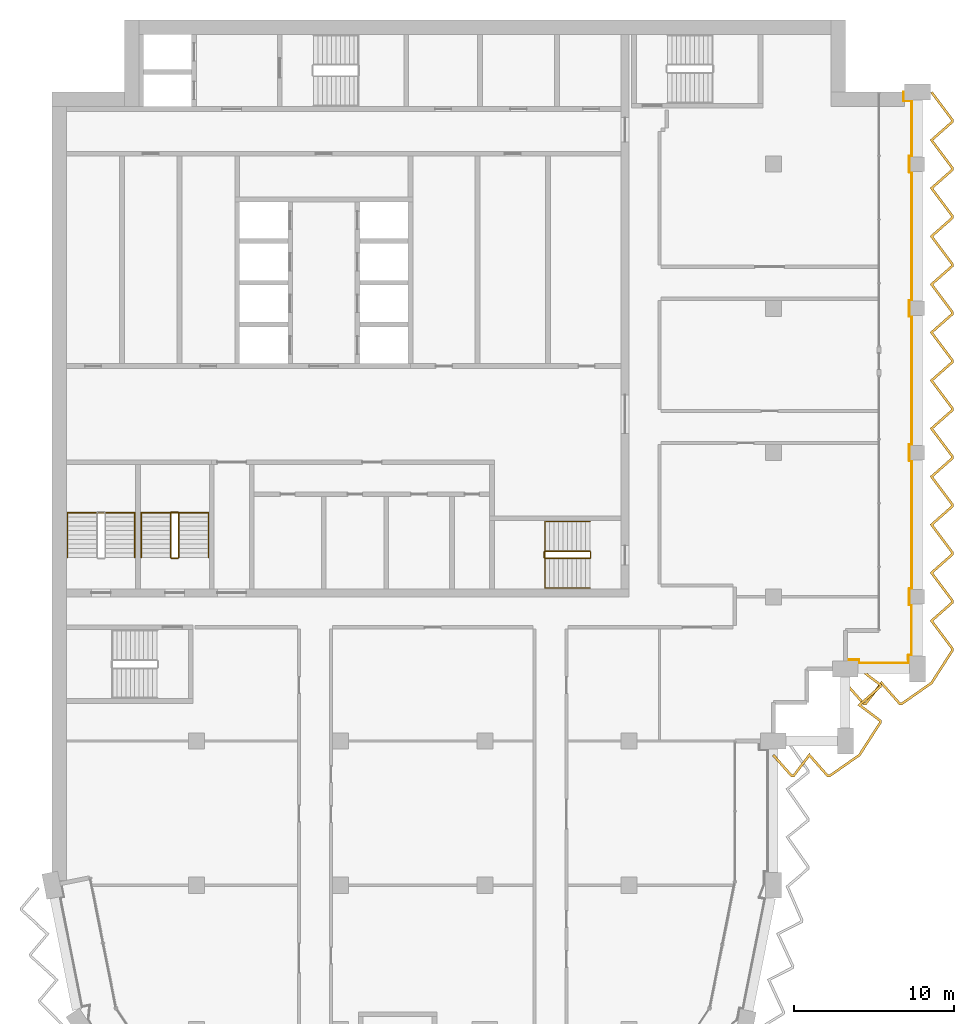
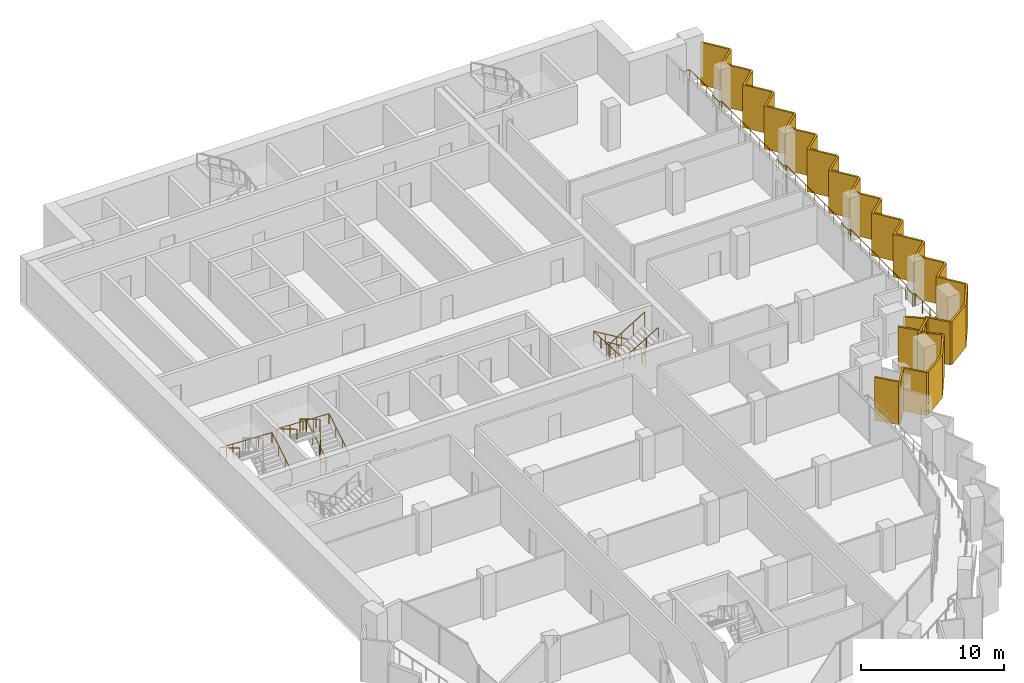
# One storey, part 15 of 16: 6 railings, 2 shading devices.
"""IFC4 building model written with IfcOpenShell, lengths in metres."""

from ifc_helpers import new_model, si_unit, direction, frame, origin, origin_2d, place, context, subcontext, project, spatial, polyline, circle, outline, extrude, material, layer, layer_set, type_object, element, save


model = new_model("IFC4")

# Units and contexts
model_context = context("Model", 3, precision=1e-05, world=origin(), true_north=direction((0.0, 1.0)))
body_context = subcontext(model_context, "Body", "Model", "MODEL_VIEW")
ifc_project = project(units=[si_unit("LENGTHUNIT", "METRE"), si_unit("AREAUNIT", "SQUARE_METRE"), si_unit("VOLUMEUNIT", "CUBIC_METRE"), si_unit("PLANEANGLEUNIT", "RADIAN"), si_unit("MASSUNIT", "GRAM", prefix="KILO")], contexts=[model_context])

# Site, building, storey
site_placement = place(None, origin())
site = spatial("IfcSite", under=ifc_project, at=site_placement, CompositionType="ELEMENT")
building_placement = place(site_placement, origin())
building = spatial("IfcBuilding", under=site, at=building_placement, Name="Hunhe Ridgeline Campus", CompositionType="ELEMENT")
storey_placement = place(building_placement, frame((0.0, 0.0, 246.60009765625)))
storey = spatial("IfcBuildingStorey", under=building, at=storey_placement, Name="L63", CompositionType="ELEMENT", Elevation=246.60009765625)

# Railing
ifc_material_1 = material(Name="Steel Q355", Category="steel")
railing_type_1 = type_object("IfcRailingType", Name="Loggia guard 1100 Steel Q355", PredefinedType="GUARDRAIL", material=ifc_material_1)
railing_1_placement = place(storey_placement, frame((49.5, 59.070068359375, 0.0)))
element("IfcRailing", 1, at=railing_1_placement, inside=storey, type_object=railing_type_1, Name="Loggia guard 2", PredefinedType="GUARDRAIL", context=body_context, shape_type="SweptSolid", body=[
    extrude(circle(Radius=0.02392578125, at=origin_2d()), frame((0.0, 0.0, 1.076171875), z_axis=(1.0, 0.0, 0.0), x_axis=(0.0, 1.0, 0.0)), (0.0, 0.0, 1.0), 0.85009765625),
    extrude(circle(Radius=0.02392578125, at=origin_2d()), frame((0.85009765625, 0.0, 1.076171875), z_axis=(0.0, -1.0, 0.0), x_axis=(1.0, 0.0, 0.0)), (0.0, 0.0, 1.0), 0.219970703125),
    extrude(circle(Radius=0.02392578125, at=origin_2d()), frame((0.85009765625, -0.219970703125, 1.076171875), z_axis=(1.0, 0.0, 0.0), x_axis=(0.0, 1.0, 0.0)), (0.0, 0.0, 1.0), 3.099853515625),
    extrude(circle(Radius=0.02392578125, at=origin_2d()), frame((3.949951171875, -0.219970703125, 1.076171875), z_axis=(0.0, 1.0, 0.0), x_axis=(-1.0, 0.0, 0.0)), (0.0, 0.0, 1.0), 0.52001953125),
    extrude(circle(Radius=0.02392578125, at=origin_2d()), frame((3.949951171875, 0.300048828125, 1.076171875), z_axis=(-0.066572895244, -0.99778156408, 0.0), x_axis=(0.99778156408, -0.066572895244, 0.0)), (0.0, 0.0, 1.0), 0.30078125),
    extrude(circle(Radius=0.02392578125, at=origin_2d()), frame((3.929931640625, 0.0, 1.076171875), z_axis=(0.0, 1.0, 0.0), x_axis=(-1.0, 0.0, 0.0)), (0.0, 0.0, 1.0), 0.280029296875),
    extrude(circle(Radius=0.02392578125, at=origin_2d()), frame((3.929931640625, 0.280029296875, 1.076171875), z_axis=(1.0, 0.0, 0.0), x_axis=(0.0, 1.0, 0.0)), (0.0, 0.0, 1.0), 0.219970703125),
    extrude(circle(Radius=0.02392578125, at=origin_2d()), frame((4.14990234375, 0.280029296875, 1.076171875), z_axis=(0.0, 1.0, 0.0), x_axis=(-1.0, 0.0, 0.0)), (0.0, 0.0, 1.0), 3.14990234375),
    extrude(circle(Radius=0.02392578125, at=origin_2d()), frame((4.14990234375, 3.429931640625, 1.076171875), z_axis=(-1.0, 0.0, 0.0), x_axis=(0.0, -1.0, 0.0)), (0.0, 0.0, 1.0), 0.169921875),
    extrude(circle(Radius=0.02392578125, at=origin_2d()), frame((3.97998046875, 3.429931640625, 1.076171875), z_axis=(0.0, 1.0, 0.0), x_axis=(-1.0, 0.0, 0.0)), (0.0, 0.0, 1.0), 1.0),
    extrude(circle(Radius=0.02392578125, at=origin_2d()), frame((3.97998046875, 4.429931640625, 1.076171875), z_axis=(1.0, 0.0, 0.0), x_axis=(0.0, 1.0, 0.0)), (0.0, 0.0, 1.0), 0.169921875),
    extrude(circle(Radius=0.02392578125, at=origin_2d()), frame((4.14990234375, 4.429931640625, 1.076171875), z_axis=(0.0, 1.0, 0.0), x_axis=(-1.0, 0.0, 0.0)), (0.0, 0.0, 1.0), 8.0),
    extrude(circle(Radius=0.02392578125, at=origin_2d()), frame((4.14990234375, 12.429931640625, 1.076171875), z_axis=(-1.0, 0.0, 0.0), x_axis=(0.0, -1.0, 0.0)), (0.0, 0.0, 1.0), 0.169921875),
    extrude(circle(Radius=0.02392578125, at=origin_2d()), frame((3.97998046875, 12.429931640625, 1.076171875), z_axis=(0.0, 1.0, 0.0), x_axis=(-1.0, 0.0, 0.0)), (0.0, 0.0, 1.0), 1.0),
    extrude(circle(Radius=0.02392578125, at=origin_2d()), frame((3.97998046875, 13.429931640625, 1.076171875), z_axis=(1.0, 0.0, 0.0), x_axis=(0.0, 1.0, 0.0)), (0.0, 0.0, 1.0), 0.169921875),
    extrude(circle(Radius=0.02392578125, at=origin_2d()), frame((4.14990234375, 13.429931640625, 1.076171875), z_axis=(0.0, 1.0, 0.0), x_axis=(-1.0, 0.0, 0.0)), (0.0, 0.0, 1.0), 8.0),
    extrude(circle(Radius=0.02392578125, at=origin_2d()), frame((4.14990234375, 21.429931640625, 1.076171875), z_axis=(-1.0, 0.0, 0.0), x_axis=(0.0, -1.0, 0.0)), (0.0, 0.0, 1.0), 0.169921875),
    extrude(circle(Radius=0.02392578125, at=origin_2d()), frame((3.97998046875, 21.429931640625, 1.076171875), z_axis=(0.0, 1.0, 0.0), x_axis=(-1.0, 0.0, 0.0)), (0.0, 0.0, 1.0), 1.0),
    extrude(circle(Radius=0.02392578125, at=origin_2d()), frame((3.97998046875, 22.429931640625, 1.076171875), z_axis=(1.0, 0.0, 0.0), x_axis=(0.0, 1.0, 0.0)), (0.0, 0.0, 1.0), 0.169921875),
    extrude(circle(Radius=0.02392578125, at=origin_2d()), frame((4.14990234375, 22.429931640625, 1.076171875), z_axis=(0.0, 1.0, 0.0), x_axis=(-1.0, 0.0, 0.0)), (0.0, 0.0, 1.0), 8.0),
    extrude(circle(Radius=0.02392578125, at=origin_2d()), frame((4.14990234375, 30.429931640625, 1.076171875), z_axis=(-1.0, 0.0, 0.0), x_axis=(0.0, -1.0, 0.0)), (0.0, 0.0, 1.0), 0.169921875),
    extrude(circle(Radius=0.02392578125, at=origin_2d()), frame((3.97998046875, 30.429931640625, 1.076171875), z_axis=(0.0, 1.0, 0.0), x_axis=(-1.0, 0.0, 0.0)), (0.0, 0.0, 1.0), 1.0),
    extrude(circle(Radius=0.02392578125, at=origin_2d()), frame((3.97998046875, 31.429931640625, 1.076171875), z_axis=(1.0, 0.0, 0.0), x_axis=(0.0, 1.0, 0.0)), (0.0, 0.0, 1.0), 0.169921875),
    extrude(circle(Radius=0.02392578125, at=origin_2d()), frame((4.14990234375, 31.429931640625, 1.076171875), z_axis=(0.0, 1.0, 0.0), x_axis=(-1.0, 0.0, 0.0)), (0.0, 0.0, 1.0), 3.449951171875),
    extrude(circle(Radius=0.02392578125, at=origin_2d()), frame((4.14990234375, 34.8798828125, 1.076171875), z_axis=(-1.0, 0.0, 0.0), x_axis=(0.0, -1.0, 0.0)), (0.0, 0.0, 1.0), 0.52001953125),
    extrude(circle(Radius=0.02392578125, at=origin_2d()), frame((3.6298828125, 34.8798828125, 1.076171875), z_axis=(0.0, 1.0, 0.0), x_axis=(-1.0, 0.0, 0.0)), (0.0, 0.0, 1.0), 0.550048828125),
    extrude(circle(Radius=0.02099609375, at=origin_2d()), origin(), (0.0, 0.0, 1.0), 1.052001953125),
    extrude(circle(Radius=0.02099609375, at=origin_2d()), frame((0.85009765625, 0.0, 0.0)), (0.0, 0.0, 1.0), 1.052001953125),
    extrude(circle(Radius=0.02099609375, at=origin_2d()), frame((0.85009765625, -0.219970703125, 0.0)), (0.0, 0.0, 1.0), 1.052001953125),
    extrude(circle(Radius=0.02099609375, at=origin_2d()), frame((1.88330078125, -0.219970703125, 0.0)), (0.0, 0.0, 1.0), 1.052001953125),
    extrude(circle(Radius=0.02099609375, at=origin_2d()), frame((2.916748046875, -0.219970703125, 0.0)), (0.0, 0.0, 1.0), 1.052001953125),
    extrude(circle(Radius=0.02099609375, at=origin_2d()), frame((3.949951171875, -0.219970703125, 0.0)), (0.0, 0.0, 1.0), 1.052001953125),
    extrude(circle(Radius=0.02099609375, at=origin_2d()), frame((3.949951171875, 0.300048828125, 0.0)), (0.0, 0.0, 1.0), 1.052001953125),
    extrude(circle(Radius=0.02099609375, at=origin_2d()), frame((3.929931640625, 0.0, 0.0)), (0.0, 0.0, 1.0), 1.052001953125),
    extrude(circle(Radius=0.02099609375, at=origin_2d()), frame((3.929931640625, 0.280029296875, 0.0)), (0.0, 0.0, 1.0), 1.052001953125),
    extrude(circle(Radius=0.02099609375, at=origin_2d()), frame((4.14990234375, 0.280029296875, 0.0)), (0.0, 0.0, 1.0), 1.052001953125),
    extrude(circle(Radius=0.02099609375, at=origin_2d()), frame((4.14990234375, 1.330078125, 0.0)), (0.0, 0.0, 1.0), 1.052001953125),
    extrude(circle(Radius=0.02099609375, at=origin_2d()), frame((4.14990234375, 2.3798828125, 0.0)), (0.0, 0.0, 1.0), 1.052001953125),
    extrude(circle(Radius=0.02099609375, at=origin_2d()), frame((4.14990234375, 3.429931640625, 0.0)), (0.0, 0.0, 1.0), 1.052001953125),
    extrude(circle(Radius=0.02099609375, at=origin_2d()), frame((3.97998046875, 3.429931640625, 0.0)), (0.0, 0.0, 1.0), 1.052001953125),
    extrude(circle(Radius=0.02099609375, at=origin_2d()), frame((3.97998046875, 4.429931640625, 0.0)), (0.0, 0.0, 1.0), 1.052001953125),
    extrude(circle(Radius=0.02099609375, at=origin_2d()), frame((4.14990234375, 4.429931640625, 0.0)), (0.0, 0.0, 1.0), 1.052001953125),
    extrude(circle(Radius=0.02099609375, at=origin_2d()), frame((4.14990234375, 5.76318359375, 0.0)), (0.0, 0.0, 1.0), 1.052001953125),
    extrude(circle(Radius=0.02099609375, at=origin_2d()), frame((4.14990234375, 7.0966796875, 0.0)), (0.0, 0.0, 1.0), 1.052001953125),
    extrude(circle(Radius=0.02099609375, at=origin_2d()), frame((4.14990234375, 8.429931640625, 0.0)), (0.0, 0.0, 1.0), 1.052001953125),
    extrude(circle(Radius=0.02099609375, at=origin_2d()), frame((4.14990234375, 9.76318359375, 0.0)), (0.0, 0.0, 1.0), 1.052001953125),
    extrude(circle(Radius=0.02099609375, at=origin_2d()), frame((4.14990234375, 11.0966796875, 0.0)), (0.0, 0.0, 1.0), 1.052001953125),
    extrude(circle(Radius=0.02099609375, at=origin_2d()), frame((4.14990234375, 12.429931640625, 0.0)), (0.0, 0.0, 1.0), 1.052001953125),
    extrude(circle(Radius=0.02099609375, at=origin_2d()), frame((3.97998046875, 12.429931640625, 0.0)), (0.0, 0.0, 1.0), 1.052001953125),
    extrude(circle(Radius=0.02099609375, at=origin_2d()), frame((3.97998046875, 13.429931640625, 0.0)), (0.0, 0.0, 1.0), 1.052001953125),
    extrude(circle(Radius=0.02099609375, at=origin_2d()), frame((4.14990234375, 13.429931640625, 0.0)), (0.0, 0.0, 1.0), 1.052001953125),
    extrude(circle(Radius=0.02099609375, at=origin_2d()), frame((4.14990234375, 14.76318359375, 0.0)), (0.0, 0.0, 1.0), 1.052001953125),
    extrude(circle(Radius=0.02099609375, at=origin_2d()), frame((4.14990234375, 16.0966796875, 0.0)), (0.0, 0.0, 1.0), 1.052001953125),
    extrude(circle(Radius=0.02099609375, at=origin_2d()), frame((4.14990234375, 17.429931640625, 0.0)), (0.0, 0.0, 1.0), 1.052001953125),
    extrude(circle(Radius=0.02099609375, at=origin_2d()), frame((4.14990234375, 18.76318359375, 0.0)), (0.0, 0.0, 1.0), 1.052001953125),
    extrude(circle(Radius=0.02099609375, at=origin_2d()), frame((4.14990234375, 20.0966796875, 0.0)), (0.0, 0.0, 1.0), 1.052001953125),
    extrude(circle(Radius=0.02099609375, at=origin_2d()), frame((4.14990234375, 21.429931640625, 0.0)), (0.0, 0.0, 1.0), 1.052001953125),
    extrude(circle(Radius=0.02099609375, at=origin_2d()), frame((3.97998046875, 21.429931640625, 0.0)), (0.0, 0.0, 1.0), 1.052001953125),
    extrude(circle(Radius=0.02099609375, at=origin_2d()), frame((3.97998046875, 22.429931640625, 0.0)), (0.0, 0.0, 1.0), 1.052001953125),
    extrude(circle(Radius=0.02099609375, at=origin_2d()), frame((4.14990234375, 22.429931640625, 0.0)), (0.0, 0.0, 1.0), 1.052001953125),
    extrude(circle(Radius=0.02099609375, at=origin_2d()), frame((4.14990234375, 23.76318359375, 0.0)), (0.0, 0.0, 1.0), 1.052001953125),
    extrude(circle(Radius=0.02099609375, at=origin_2d()), frame((4.14990234375, 25.0966796875, 0.0)), (0.0, 0.0, 1.0), 1.052001953125),
    extrude(circle(Radius=0.02099609375, at=origin_2d()), frame((4.14990234375, 26.429931640625, 0.0)), (0.0, 0.0, 1.0), 1.052001953125),
    extrude(circle(Radius=0.02099609375, at=origin_2d()), frame((4.14990234375, 27.76318359375, 0.0)), (0.0, 0.0, 1.0), 1.052001953125),
    extrude(circle(Radius=0.02099609375, at=origin_2d()), frame((4.14990234375, 29.0966796875, 0.0)), (0.0, 0.0, 1.0), 1.052001953125),
    extrude(circle(Radius=0.02099609375, at=origin_2d()), frame((4.14990234375, 30.429931640625, 0.0)), (0.0, 0.0, 1.0), 1.052001953125),
    extrude(circle(Radius=0.02099609375, at=origin_2d()), frame((3.97998046875, 30.429931640625, 0.0)), (0.0, 0.0, 1.0), 1.052001953125),
    extrude(circle(Radius=0.02099609375, at=origin_2d()), frame((3.97998046875, 31.429931640625, 0.0)), (0.0, 0.0, 1.0), 1.052001953125),
    extrude(circle(Radius=0.02099609375, at=origin_2d()), frame((4.14990234375, 31.429931640625, 0.0)), (0.0, 0.0, 1.0), 1.052001953125),
    extrude(circle(Radius=0.02099609375, at=origin_2d()), frame((4.14990234375, 32.579833984375, 0.0)), (0.0, 0.0, 1.0), 1.052001953125),
    extrude(circle(Radius=0.02099609375, at=origin_2d()), frame((4.14990234375, 33.72998046875, 0.0)), (0.0, 0.0, 1.0), 1.052001953125),
    extrude(circle(Radius=0.02099609375, at=origin_2d()), frame((4.14990234375, 34.8798828125, 0.0)), (0.0, 0.0, 1.0), 1.052001953125),
    extrude(circle(Radius=0.02099609375, at=origin_2d()), frame((3.6298828125, 34.8798828125, 0.0)), (0.0, 0.0, 1.0), 1.052001953125),
    extrude(circle(Radius=0.02099609375, at=origin_2d()), frame((3.6298828125, 35.429931640625, 0.0)), (0.0, 0.0, 1.0), 1.052001953125),
])

# Shading devices
ifc_material_2 = material(Name="Concrete C50", Category="concrete")
ifc_layer = layer(ifc_material_2, 0.14990234375)
ifc_layer_set = layer_set([ifc_layer], Name="Sawtooth concrete fin 150 Concrete C50")
shading_device_type = type_object("IfcShadingDeviceType", Name="Sawtooth concrete fin 150 Concrete C50", PredefinedType="USERDEFINED", material=ifc_layer_set)
shading_device_1_placement = place(storey_placement, frame((0.0, 0.0, -0.9501953125)))
element("IfcShadingDevice", 2, at=shading_device_1_placement, inside=storey, type_object=shading_device_type, Name="Concrete fin screen 2", ObjectType="FIN", PredefinedType="USERDEFINED", context=body_context, shape_type="SweptSolid", body=[
    extrude(outline(polyline([(45.05615234375, 53.174560546875), (44.94384765625, 53.075439453125), (46.11328125, 51.75), (46.304443359375, 51.75), (47.25439453125, 53.006591796875), (48.36328125, 51.75), (48.540771484375, 51.75), (50.43017578125, 53.072021484375), (51.75, 55.125), (51.75, 55.304443359375), (50.493408203125, 56.25439453125), (51.75, 57.36328125), (51.75, 57.554443359375), (50.420166015625, 58.559814453125), (50.329833984375, 58.440185546875), (51.60009765625, 57.479736328125), (51.60009765625, 57.430908203125), (50.256591796875, 56.24560546875), (51.60009765625, 55.229736328125), (51.60009765625, 55.169189453125), (50.31982421875, 53.177978515625), (48.493408203125, 51.89990234375), (48.430908203125, 51.89990234375), (47.24560546875, 53.243408203125), (46.229736328125, 51.89990234375), (46.180908203125, 51.89990234375), (45.05615234375, 53.174560546875)])), origin(), (0.0, 0.0, 1.0), 3.650146484375),
])
shading_device_2_placement = place(storey_placement, frame((0.0, 0.0, -0.9501953125)))
element("IfcShadingDevice", 3, at=shading_device_2_placement, inside=storey, type_object=shading_device_type, Name="Concrete fin screen 3", ObjectType="FIN", PredefinedType="USERDEFINED", context=body_context, shape_type="SweptSolid", body=[
    extrude(outline(polyline([(49.55615234375, 57.674560546875), (49.44384765625, 57.575439453125), (50.61328125, 56.25), (50.804443359375, 56.25), (51.75439453125, 57.506591796875), (52.86328125, 56.25), (53.040771484375, 56.25), (54.93017578125, 57.572021484375), (56.25, 59.625), (56.25, 59.792236328125), (54.9765625, 61.489501953125), (56.25, 62.61328125), (56.25, 62.792236328125), (54.9765625, 64.489501953125), (56.25, 65.61328125), (56.25, 65.792236328125), (54.9765625, 67.489501953125), (56.25, 68.61328125), (56.25, 68.792236328125), (54.9765625, 70.489501953125), (56.25, 71.61328125), (56.25, 71.792236328125), (54.9765625, 73.489501953125), (56.25, 74.61328125), (56.25, 74.792236328125), (54.9765625, 76.489501953125), (56.25, 77.61328125), (56.25, 77.792236328125), (54.9765625, 79.489501953125), (56.25, 80.61328125), (56.25, 80.792236328125), (54.9765625, 82.489501953125), (56.25, 83.61328125), (56.25, 83.792236328125), (54.9765625, 85.489501953125), (56.25, 86.61328125), (56.25, 86.792236328125), (54.9765625, 88.489501953125), (56.25, 89.61328125), (56.25, 89.792236328125), (54.9765625, 91.489501953125), (56.25, 92.61328125), (56.25, 92.792236328125), (54.93505859375, 94.544921875), (54.81494140625, 94.455078125), (56.10009765625, 92.7421875), (56.10009765625, 92.680908203125), (54.7734375, 91.510498046875), (56.10009765625, 89.7421875), (56.10009765625, 89.680908203125), (54.7734375, 88.510498046875), (56.10009765625, 86.7421875), (56.10009765625, 86.680908203125), (54.7734375, 85.510498046875), (56.10009765625, 83.7421875), (56.10009765625, 83.680908203125), (54.7734375, 82.510498046875), (56.10009765625, 80.7421875), (56.10009765625, 80.680908203125), (54.7734375, 79.510498046875), (56.10009765625, 77.7421875), (56.10009765625, 77.680908203125), (54.7734375, 76.510498046875), (56.10009765625, 74.7421875), (56.10009765625, 74.680908203125), (54.7734375, 73.510498046875), (56.10009765625, 71.7421875), (56.10009765625, 71.680908203125), (54.7734375, 70.510498046875), (56.10009765625, 68.7421875), (56.10009765625, 68.680908203125), (54.7734375, 67.510498046875), (56.10009765625, 65.7421875), (56.10009765625, 65.680908203125), (54.7734375, 64.510498046875), (56.10009765625, 62.7421875), (56.10009765625, 62.680908203125), (54.7734375, 61.510498046875), (56.10009765625, 59.7421875), (56.10009765625, 59.669189453125), (54.81982421875, 57.677978515625), (52.993408203125, 56.39990234375), (52.930908203125, 56.39990234375), (51.74560546875, 57.743408203125), (50.729736328125, 56.39990234375), (50.680908203125, 56.39990234375), (49.55615234375, 57.674560546875)])), origin(), (0.0, 0.0, 1.0), 3.650146484375),
])

# Railings
ifc_material_3 = material(Name="Stainless steel balustrade", Category="steel")
railing_type_2 = type_object("IfcRailingType", Name="Stair guard 1100 stainless", PredefinedType="GUARDRAIL", material=ifc_material_3)
railing_2_placement = place(storey_placement, frame((33.550048828125, 65.85009765625, 0.16796875)))
element("IfcRailing", 4, at=railing_2_placement, inside=storey, type_object=railing_type_2, Name="L63 stair S2 guard", PredefinedType="GUARDRAIL", context=body_context, shape_type="SweptSolid", body=[
    extrude(circle(Radius=0.02392578125, at=origin_2d()), frame((0.0, 0.0, 1.076171875), z_axis=(-0.857242210791, 0.0, 0.514913383045), x_axis=(0.0, -1.0, 0.0)), (0.0, 0.0, 1.0), 3.266357421875),
    extrude(circle(Radius=0.02392578125, at=origin_2d()), frame((-2.800048828125, 0.0, 2.7578125), z_axis=(-0.707106781187, -0.707106781187, 0.0), x_axis=(0.707106781187, -0.707106781187, 0.0)), (0.0, 0.0, 1.0), 0.07080078125),
    extrude(circle(Radius=0.02392578125, at=origin_2d()), frame((-2.85009765625, -0.050048828125, 2.7578125), z_axis=(0.0, -1.0, 0.0), x_axis=(1.0, 0.0, 0.0)), (0.0, 0.0, 1.0), 0.35009765625),
    extrude(circle(Radius=0.02392578125, at=origin_2d()), frame((-2.85009765625, -0.400146484375, 2.7578125), z_axis=(0.274243871929, -0.274243871929, 0.92172696468), x_axis=(0.707106781187, 0.707106781187, 0.0)), (0.0, 0.0, 1.0), 0.1826171875),
    extrude(circle(Radius=0.02392578125, at=origin_2d()), frame((-2.800048828125, -0.4501953125, 2.92626953125), z_axis=(0.857242210791, 0.0, 0.514913383045), x_axis=(0.0, 1.0, 0.0)), (0.0, 0.0, 1.0), 3.266357421875),
    extrude(circle(Radius=0.02392578125, at=origin_2d()), frame((0.0, -0.4501953125, 4.60791015625), z_axis=(0.013524414389, 0.013524414389, -0.999817073484), x_axis=(-0.707106781187, 0.707106781187, 0.0)), (0.0, 0.0, 1.0), 3.70068359375),
    extrude(circle(Radius=0.02392578125, at=origin_2d()), frame((0.050048828125, -0.400146484375, 0.908203125), z_axis=(0.0, 1.0, 0.0), x_axis=(-1.0, 0.0, 0.0)), (0.0, 0.0, 1.0), 0.35009765625),
    extrude(circle(Radius=0.02099609375, at=origin_2d()), origin(), (0.0, 0.0, 1.0), 1.052001953125),
    extrude(circle(Radius=0.02099609375, at=origin_2d()), frame((-0.933349609375, 0.0, 0.560546875)), (0.0, 0.0, 1.0), 1.052001953125),
    extrude(circle(Radius=0.02099609375, at=origin_2d()), frame((-1.86669921875, 0.0, 1.121337890625)), (0.0, 0.0, 1.0), 1.052001953125),
    extrude(circle(Radius=0.02099609375, at=origin_2d()), frame((-2.800048828125, 0.0, 1.681884765625)), (0.0, 0.0, 1.0), 1.052001953125),
    extrude(circle(Radius=0.02099609375, at=origin_2d()), frame((-2.85009765625, -0.050048828125, 1.681884765625)), (0.0, 0.0, 1.0), 1.052001953125),
    extrude(circle(Radius=0.02099609375, at=origin_2d()), frame((-2.85009765625, -0.400146484375, 1.681884765625)), (0.0, 0.0, 1.0), 1.052001953125),
    extrude(circle(Radius=0.02099609375, at=origin_2d()), frame((-2.800048828125, -0.4501953125, 1.85009765625)), (0.0, 0.0, 1.0), 1.052001953125),
    extrude(circle(Radius=0.02099609375, at=origin_2d()), frame((-1.86669921875, -0.4501953125, 2.41064453125)), (0.0, 0.0, 1.0), 1.052001953125),
    extrude(circle(Radius=0.02099609375, at=origin_2d()), frame((-0.933349609375, -0.4501953125, 2.971435546875)), (0.0, 0.0, 1.0), 1.052001953125),
    extrude(circle(Radius=0.02099609375, at=origin_2d()), frame((0.0, -0.4501953125, 3.531982421875)), (0.0, 0.0, 1.0), 1.052001953125),
    extrude(circle(Radius=0.02099609375, at=origin_2d()), frame((0.012451171875, -0.437744140625, 2.60693359375)), (0.0, 0.0, 1.0), 1.052001953125),
    extrude(circle(Radius=0.02099609375, at=origin_2d()), frame((0.02490234375, -0.42529296875, 1.68212890625)), (0.0, 0.0, 1.0), 1.052001953125),
    extrude(circle(Radius=0.02099609375, at=origin_2d()), frame((0.03759765625, -0.41259765625, 0.757080078125)), (0.0, 0.0, 1.0), 1.052001953125),
    extrude(circle(Radius=0.02099609375, at=origin_2d()), frame((0.050048828125, -0.400146484375, -0.16796875)), (0.0, 0.0, 1.0), 1.052001953125),
    extrude(circle(Radius=0.02099609375, at=origin_2d()), frame((0.050048828125, -0.050048828125, -0.16796875)), (0.0, 0.0, 1.0), 1.052001953125),
])
railing_3_placement = place(storey_placement, frame((7.89990234375, 65.449951171875, 0.16796875)))
element("IfcRailing", 5, at=railing_3_placement, inside=storey, type_object=railing_type_2, Name="L63 stair S4 guard", PredefinedType="GUARDRAIL", context=body_context, shape_type="SweptSolid", body=[
    extrude(circle(Radius=0.02392578125, at=origin_2d()), frame((0.0, 0.0, 1.076171875), z_axis=(0.0, 0.857242210791, 0.514913383045), x_axis=(-1.0, 0.0, 0.0)), (0.0, 0.0, 1.0), 3.266357421875),
    extrude(circle(Radius=0.02392578125, at=origin_2d()), frame((0.0, 2.800048828125, 2.7578125), z_axis=(-0.705375805398, 0.708833529934, 0.0), x_axis=(-0.708833529934, -0.705375805398, 0.0)), (0.0, 0.0, 1.0), 0.070556640625),
    extrude(circle(Radius=0.02392578125, at=origin_2d()), frame((-0.0498046875, 2.85009765625, 2.7578125), z_axis=(-1.0, 0.0, 0.0), x_axis=(0.0, -1.0, 0.0)), (0.0, 0.0, 1.0), 0.400146484375),
    extrude(circle(Radius=0.02392578125, at=origin_2d()), frame((-0.449951171875, 2.85009765625, 2.7578125), z_axis=(-0.274243871929, -0.274243871929, 0.92172696468), x_axis=(0.707106781187, -0.707106781187, 0.0)), (0.0, 0.0, 1.0), 0.1826171875),
    extrude(circle(Radius=0.02392578125, at=origin_2d()), frame((-0.5, 2.800048828125, 2.92626953125), z_axis=(0.0, -0.857242210791, 0.514913383045), x_axis=(1.0, 0.0, 0.0)), (0.0, 0.0, 1.0), 3.266357421875),
    extrude(circle(Radius=0.02392578125, at=origin_2d()), frame((-0.5, 0.0, 4.60791015625), z_axis=(0.013524414389, -0.013524414389, -0.999817073484), x_axis=(0.707106781187, 0.707106781187, 0.0)), (0.0, 0.0, 1.0), 3.70068359375),
    extrude(circle(Radius=0.02392578125, at=origin_2d()), frame((-0.449951171875, -0.050048828125, 0.908203125), z_axis=(1.0, 0.0, 0.0), x_axis=(0.0, 1.0, 0.0)), (0.0, 0.0, 1.0), 0.400146484375),
    extrude(circle(Radius=0.02099609375, at=origin_2d()), origin(), (0.0, 0.0, 1.0), 1.052001953125),
    extrude(circle(Radius=0.02099609375, at=origin_2d()), frame((0.0, 0.933349609375, 0.560546875)), (0.0, 0.0, 1.0), 1.052001953125),
    extrude(circle(Radius=0.02099609375, at=origin_2d()), frame((0.0, 1.86669921875, 1.121337890625)), (0.0, 0.0, 1.0), 1.052001953125),
    extrude(circle(Radius=0.02099609375, at=origin_2d()), frame((0.0, 2.800048828125, 1.681884765625)), (0.0, 0.0, 1.0), 1.052001953125),
    extrude(circle(Radius=0.02099609375, at=origin_2d()), frame((-0.0498046875, 2.85009765625, 1.681884765625)), (0.0, 0.0, 1.0), 1.052001953125),
    extrude(circle(Radius=0.02099609375, at=origin_2d()), frame((-0.449951171875, 2.85009765625, 1.681884765625)), (0.0, 0.0, 1.0), 1.052001953125),
    extrude(circle(Radius=0.02099609375, at=origin_2d()), frame((-0.5, 2.800048828125, 1.85009765625)), (0.0, 0.0, 1.0), 1.052001953125),
    extrude(circle(Radius=0.02099609375, at=origin_2d()), frame((-0.5, 1.86669921875, 2.41064453125)), (0.0, 0.0, 1.0), 1.052001953125),
    extrude(circle(Radius=0.02099609375, at=origin_2d()), frame((-0.5, 0.933349609375, 2.971435546875)), (0.0, 0.0, 1.0), 1.052001953125),
    extrude(circle(Radius=0.02099609375, at=origin_2d()), frame((-0.5, 0.0, 3.531982421875)), (0.0, 0.0, 1.0), 1.052001953125),
    extrude(circle(Radius=0.02099609375, at=origin_2d()), frame((-0.487548828125, -0.012451171875, 2.60693359375)), (0.0, 0.0, 1.0), 1.052001953125),
    extrude(circle(Radius=0.02099609375, at=origin_2d()), frame((-0.47509765625, -0.02490234375, 1.68212890625)), (0.0, 0.0, 1.0), 1.052001953125),
    extrude(circle(Radius=0.02099609375, at=origin_2d()), frame((-0.46240234375, -0.03759765625, 0.757080078125)), (0.0, 0.0, 1.0), 1.052001953125),
    extrude(circle(Radius=0.02099609375, at=origin_2d()), frame((-0.449951171875, -0.050048828125, -0.16796875)), (0.0, 0.0, 1.0), 1.052001953125),
    extrude(circle(Radius=0.02099609375, at=origin_2d()), frame((-0.0498046875, -0.050048828125, -0.16796875)), (0.0, 0.0, 1.0), 1.052001953125),
])
ifc_material_4 = material(Name="Stainless steel handrail", Category="steel")
railing_type_3 = type_object("IfcRailingType", Name="Stair handrail 900 stainless", PredefinedType="HANDRAIL", material=ifc_material_4)
railing_4_placement = place(storey_placement, frame((33.550048828125, 67.699951171875, 0.16796875)))
element("IfcRailing", 6, at=railing_4_placement, inside=storey, type_object=railing_type_3, Name="L63 stair S2 handrail", PredefinedType="HANDRAIL", context=body_context, shape_type="SweptSolid", body=[
    extrude(circle(Radius=0.02392578125, at=origin_2d()), frame((0.0, 0.0, 0.8759765625), z_axis=(-0.857242210791, 0.0, 0.514913383045), x_axis=(0.0, -1.0, 0.0)), (0.0, 0.0, 1.0), 3.266357421875),
    extrude(circle(Radius=0.02392578125, at=origin_2d()), frame((-2.800048828125, 0.0, 2.5576171875), z_axis=(0.0, -0.99917950104, 0.040500922239), x_axis=(1.0, 0.0, 0.0)), (0.0, 0.0, 1.0), 4.1533203125),
    extrude(circle(Radius=0.02392578125, at=origin_2d()), frame((-2.800048828125, -4.14990234375, 2.72607421875), z_axis=(0.857242210791, 0.0, 0.514913383045), x_axis=(0.0, 1.0, 0.0)), (0.0, 0.0, 1.0), 3.266357421875),
    extrude(circle(Radius=0.02099609375, at=origin_2d()), origin(), (0.0, 0.0, 1.0), 0.851806640625),
    extrude(circle(Radius=0.02099609375, at=origin_2d()), frame((-0.933349609375, 0.0, 0.560546875)), (0.0, 0.0, 1.0), 0.851806640625),
    extrude(circle(Radius=0.02099609375, at=origin_2d()), frame((-1.86669921875, 0.0, 1.121337890625)), (0.0, 0.0, 1.0), 0.851806640625),
    extrude(circle(Radius=0.02099609375, at=origin_2d()), frame((-2.800048828125, 0.0, 1.681884765625)), (0.0, 0.0, 1.0), 0.851806640625),
    extrude(circle(Radius=0.02099609375, at=origin_2d()), frame((-2.800048828125, -1.03759765625, 1.723876953125)), (0.0, 0.0, 1.0), 0.851806640625),
    extrude(circle(Radius=0.02099609375, at=origin_2d()), frame((-2.800048828125, -2.074951171875, 1.76611328125)), (0.0, 0.0, 1.0), 0.851806640625),
    extrude(circle(Radius=0.02099609375, at=origin_2d()), frame((-2.800048828125, -3.1123046875, 1.80810546875)), (0.0, 0.0, 1.0), 0.851806640625),
    extrude(circle(Radius=0.02099609375, at=origin_2d()), frame((-2.800048828125, -4.14990234375, 1.85009765625)), (0.0, 0.0, 1.0), 0.851806640625),
    extrude(circle(Radius=0.02099609375, at=origin_2d()), frame((-1.86669921875, -4.14990234375, 2.41064453125)), (0.0, 0.0, 1.0), 0.851806640625),
    extrude(circle(Radius=0.02099609375, at=origin_2d()), frame((-0.933349609375, -4.14990234375, 2.971435546875)), (0.0, 0.0, 1.0), 0.851806640625),
    extrude(circle(Radius=0.02099609375, at=origin_2d()), frame((0.0, -4.14990234375, 3.531982421875)), (0.0, 0.0, 1.0), 0.851806640625),
])
railing_5_placement = place(storey_placement, frame((5.14990234375, 65.449951171875, 0.16796875)))
element("IfcRailing", 7, at=railing_5_placement, inside=storey, type_object=railing_type_3, Name="L63 stair S3 handrail", PredefinedType="HANDRAIL", context=body_context, shape_type="SweptSolid", body=[
    extrude(circle(Radius=0.02392578125, at=origin_2d()), frame((0.0, 0.0, 0.8759765625), z_axis=(0.0, 0.857242210791, 0.514913383045), x_axis=(-1.0, 0.0, 0.0)), (0.0, 0.0, 1.0), 3.266357421875),
    extrude(circle(Radius=0.02392578125, at=origin_2d()), frame((0.0, 2.800048828125, 2.5576171875), z_axis=(-0.999198916169, 0.0, 0.040019069537), x_axis=(0.0, -1.0, 0.0)), (0.0, 0.0, 1.0), 4.203369140625),
    extrude(circle(Radius=0.02392578125, at=origin_2d()), frame((-4.199951171875, 2.800048828125, 2.72607421875), z_axis=(0.0, -0.857242210791, 0.514913383045), x_axis=(1.0, 0.0, 0.0)), (0.0, 0.0, 1.0), 3.266357421875),
    extrude(circle(Radius=0.02099609375, at=origin_2d()), origin(), (0.0, 0.0, 1.0), 0.851806640625),
    extrude(circle(Radius=0.02099609375, at=origin_2d()), frame((0.0, 0.933349609375, 0.560546875)), (0.0, 0.0, 1.0), 0.851806640625),
    extrude(circle(Radius=0.02099609375, at=origin_2d()), frame((0.0, 1.86669921875, 1.121337890625)), (0.0, 0.0, 1.0), 0.851806640625),
    extrude(circle(Radius=0.02099609375, at=origin_2d()), frame((0.0, 2.800048828125, 1.681884765625)), (0.0, 0.0, 1.0), 0.851806640625),
    extrude(circle(Radius=0.02099609375, at=origin_2d()), frame((-1.050048828125, 2.800048828125, 1.723876953125)), (0.0, 0.0, 1.0), 0.851806640625),
    extrude(circle(Radius=0.02099609375, at=origin_2d()), frame((-2.10009765625, 2.800048828125, 1.76611328125)), (0.0, 0.0, 1.0), 0.851806640625),
    extrude(circle(Radius=0.02099609375, at=origin_2d()), frame((-3.14990234375, 2.800048828125, 1.80810546875)), (0.0, 0.0, 1.0), 0.851806640625),
    extrude(circle(Radius=0.02099609375, at=origin_2d()), frame((-4.199951171875, 2.800048828125, 1.85009765625)), (0.0, 0.0, 1.0), 0.851806640625),
    extrude(circle(Radius=0.02099609375, at=origin_2d()), frame((-4.199951171875, 1.86669921875, 2.41064453125)), (0.0, 0.0, 1.0), 0.851806640625),
    extrude(circle(Radius=0.02099609375, at=origin_2d()), frame((-4.199951171875, 0.933349609375, 2.971435546875)), (0.0, 0.0, 1.0), 0.851806640625),
    extrude(circle(Radius=0.02099609375, at=origin_2d()), frame((-4.199951171875, 0.0, 3.531982421875)), (0.0, 0.0, 1.0), 0.851806640625),
])
railing_6_placement = place(storey_placement, frame((9.75, 65.449951171875, 0.16796875)))
element("IfcRailing", 8, at=railing_6_placement, inside=storey, type_object=railing_type_3, Name="L63 stair S4 handrail", PredefinedType="HANDRAIL", context=body_context, shape_type="SweptSolid", body=[
    extrude(circle(Radius=0.02392578125, at=origin_2d()), frame((0.0, 0.0, 0.8759765625), z_axis=(0.0, 0.857242210791, 0.514913383045), x_axis=(-1.0, 0.0, 0.0)), (0.0, 0.0, 1.0), 3.266357421875),
    extrude(circle(Radius=0.02392578125, at=origin_2d()), frame((0.0, 2.800048828125, 2.5576171875), z_axis=(-0.999198916169, 0.0, 0.040019069537), x_axis=(0.0, -1.0, 0.0)), (0.0, 0.0, 1.0), 4.203369140625),
    extrude(circle(Radius=0.02392578125, at=origin_2d()), frame((-4.199951171875, 2.800048828125, 2.72607421875), z_axis=(0.0, -0.857242210791, 0.514913383045), x_axis=(1.0, 0.0, 0.0)), (0.0, 0.0, 1.0), 3.266357421875),
    extrude(circle(Radius=0.02099609375, at=origin_2d()), origin(), (0.0, 0.0, 1.0), 0.851806640625),
    extrude(circle(Radius=0.02099609375, at=origin_2d()), frame((0.0, 0.933349609375, 0.560546875)), (0.0, 0.0, 1.0), 0.851806640625),
    extrude(circle(Radius=0.02099609375, at=origin_2d()), frame((0.0, 1.86669921875, 1.121337890625)), (0.0, 0.0, 1.0), 0.851806640625),
    extrude(circle(Radius=0.02099609375, at=origin_2d()), frame((0.0, 2.800048828125, 1.681884765625)), (0.0, 0.0, 1.0), 0.851806640625),
    extrude(circle(Radius=0.02099609375, at=origin_2d()), frame((-1.050048828125, 2.800048828125, 1.723876953125)), (0.0, 0.0, 1.0), 0.851806640625),
    extrude(circle(Radius=0.02099609375, at=origin_2d()), frame((-2.10009765625, 2.800048828125, 1.76611328125)), (0.0, 0.0, 1.0), 0.851806640625),
    extrude(circle(Radius=0.02099609375, at=origin_2d()), frame((-3.14990234375, 2.800048828125, 1.80810546875)), (0.0, 0.0, 1.0), 0.851806640625),
    extrude(circle(Radius=0.02099609375, at=origin_2d()), frame((-4.199951171875, 2.800048828125, 1.85009765625)), (0.0, 0.0, 1.0), 0.851806640625),
    extrude(circle(Radius=0.02099609375, at=origin_2d()), frame((-4.199951171875, 1.86669921875, 2.41064453125)), (0.0, 0.0, 1.0), 0.851806640625),
    extrude(circle(Radius=0.02099609375, at=origin_2d()), frame((-4.199951171875, 0.933349609375, 2.971435546875)), (0.0, 0.0, 1.0), 0.851806640625),
    extrude(circle(Radius=0.02099609375, at=origin_2d()), frame((-4.199951171875, 0.0, 3.531982421875)), (0.0, 0.0, 1.0), 0.851806640625),
])

save(model, "model.ifc")
